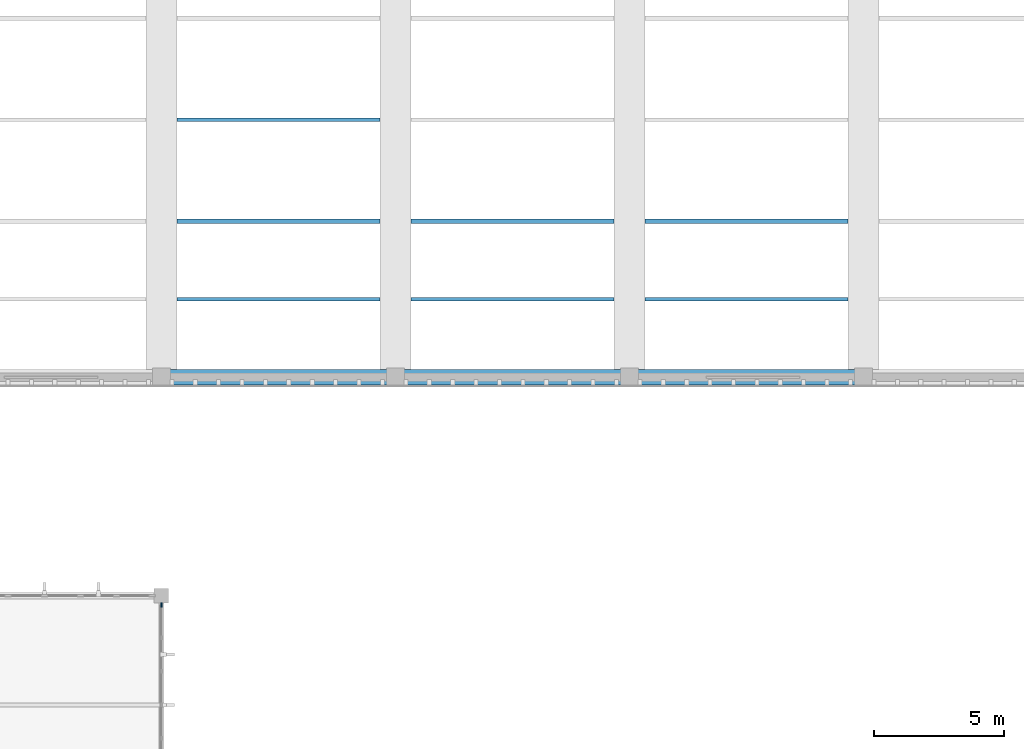
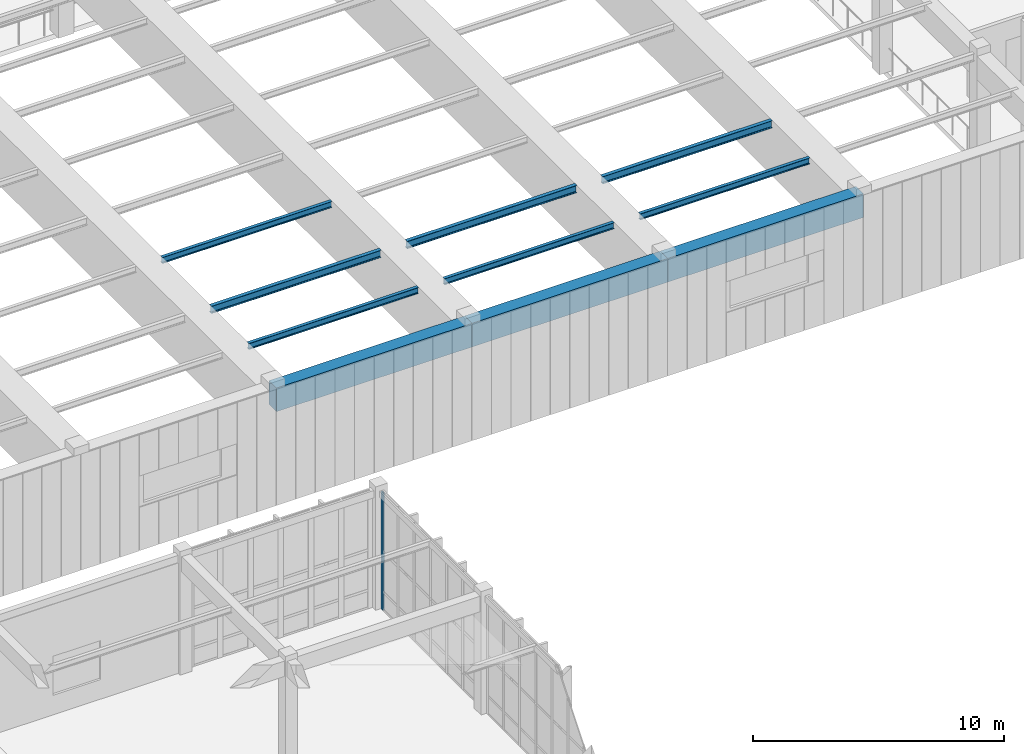
# One storey, part 28 of 105: 10 beams, 1 member, 1 element without a shape of its own.
"""IFC4 building model written with IfcOpenShell, lengths in metres."""

from ifc_helpers import new_model, si_unit, direction, frame, origin, origin_2d, place, context, subcontext, project, spatial, rectangle, i_section, extrude, material, material_profile, profile_set, type_object, element, aggregate, save


model = new_model("IFC4")

# Units and contexts
model_context = context("Model", 3, precision=1e-05, world=origin(), true_north=direction((0.0, 1.0)))
body_context = subcontext(model_context, "Body", "Model", "MODEL_VIEW")
ifc_project = project(units=[si_unit("LENGTHUNIT", "METRE"), si_unit("AREAUNIT", "SQUARE_METRE"), si_unit("VOLUMEUNIT", "CUBIC_METRE"), si_unit("PLANEANGLEUNIT", "RADIAN"), si_unit("MASSUNIT", "GRAM", prefix="KILO")], contexts=[model_context])

# Site, building, storey
site_placement = place(None, origin())
site = spatial("IfcSite", under=ifc_project, at=site_placement, CompositionType="ELEMENT")
building_placement = place(site_placement, origin())
building = spatial("IfcBuilding", under=site, at=building_placement, Name="Tizgana Railside Sports Hall", CompositionType="ELEMENT")
storey_placement = place(building_placement, frame((0.0, 0.0, 6.0)))
storey = spatial("IfcBuildingStorey", under=building, at=storey_placement, Name="L01", CompositionType="ELEMENT", Elevation=6.0)

# Beams
ifc_material_1 = material(Name="Concrete C40/50", Category="concrete")
ifc_material_profile_1 = material_profile(ifc_material_1, rectangle(XDim=0.60009765625, YDim=1.14990234375, at=origin_2d()), Name="RCB 600x1150")
ifc_profile_set_1 = profile_set([ifc_material_profile_1], Name="Concrete C40/50")
beam_type_1 = type_object("IfcBeamType", Name="Concrete Beam RCB 600x1150", PredefinedType="BEAM", material=ifc_profile_set_1)
for number, where, z_axis, x_axis, name in (
    (1, (97.800048828125, 40.800048828125, 5.06103515625), (1.0, 0.0, 0.0), (0.0, 1.0, 0.0), "L01 BEM-0285"),
    (2, (106.800048828125, 40.800048828125, 5.06103515625), (1.0, 0.0, 0.0), (0.0, 1.0, 0.0), "L01 BEM-0297"),
    (3, (115.800048828125, 40.800048828125, 5.06103515625), (1.0, 0.0, 0.0), (0.0, 1.0, 0.0), "L01 BEM-0309"),
):
    element("IfcBeam", number, at=place(storey_placement, frame(where, z_axis=z_axis, x_axis=x_axis)), inside=storey, type_object=beam_type_1, Name=name, PredefinedType="BEAM", context=body_context, shape_type="SweptSolid", body=[
        extrude(rectangle(XDim=0.60009765625, YDim=1.14990234375, at=origin_2d()), origin(), (0.0, 0.0, 1.0), 9.0),
    ])

# Curtain wall, member
ifc_material_2 = material(Name="Anodised aluminium and glass", Category="aluminium")
curtain_wall_type = type_object("IfcCurtainWallType", Name="Unitised Curtain Wall EastHall 1500", PredefinedType="NOTDEFINED", material=ifc_material_2)
curtain_wall_placement = place(storey_placement, origin())
curtain_wall = element("IfcCurtainWall", 4, at=curtain_wall_placement, inside=storey, type_object=curtain_wall_type, Name="L01 Curtain Wall CW-0103", PredefinedType="NOTDEFINED")
ifc_material_3 = material(Name="Anodised aluminium", Category="aluminium")
ifc_material_profile_2 = material_profile(ifc_material_3, rectangle(XDim=0.06005859375, YDim=0.159912109375, at=origin_2d()), Name="Mullion 60x160")
ifc_profile_set_2 = profile_set([ifc_material_profile_2], Name="Anodised aluminium")
member_type = type_object("IfcMemberType", Name="Mullion 60x160", PredefinedType="MULLION", material=ifc_profile_set_2)
member_placement = place(storey_placement, frame((97.800048828125, 32.0400390625, 0.0), z_axis=(0.0, 0.0, 1.0), x_axis=(1.0, 0.0, 0.0)))
member = element("IfcMember", 5, at=member_placement, type_object=member_type, Name="CW-08 mullion 1", PredefinedType="MULLION", context=body_context, shape_type="SweptSolid", body=[
    extrude(rectangle(XDim=0.06005859375, YDim=0.159912109375, at=origin_2d()), origin(), (0.0, 0.0, 1.0), 5.719970703125),
])
aggregate(curtain_wall, [member])

# Beams
ifc_material_4 = material(Name="Steel S355J2", Category="steel")
ifc_material_profile_3 = material_profile(ifc_material_4, i_section(OverallWidth=0.14990234375, OverallDepth=0.300048828125, WebThickness=0.007080078125, FlangeThickness=0.0107421875, FilletRadius=0.014892578125, at=origin_2d()), Name="IPE 300")
ifc_profile_set_3 = profile_set([ifc_material_profile_3], Name="Steel S355J2")
beam_type_2 = type_object("IfcBeamType", Name="Steel Joist IPE 300", PredefinedType="JOIST", material=ifc_profile_set_3)
for number, where, z_axis, x_axis, name in (
    (6, (98.39501953125, 43.800048828125, 5.486083984375), (1.0, 0.0, 0.0), (0.0, 1.0, 0.0), "L01 BEM-0292"),
    (7, (98.39501953125, 50.699951171875, 5.486083984375), (1.0, 0.0, 0.0), (0.0, 1.0, 0.0), "L01 BEM-0293"),
    (8, (107.39501953125, 43.800048828125, 5.486083984375), (1.0, 0.0, 0.0), (0.0, 1.0, 0.0), "L01 BEM-0304"),
    (9, (116.39501953125, 43.800048828125, 5.486083984375), (1.0, 0.0, 0.0), (0.0, 1.0, 0.0), "L01 BEM-0316"),
):
    element("IfcBeam", number, at=place(storey_placement, frame(where, z_axis=z_axis, x_axis=x_axis)), inside=storey, type_object=beam_type_2, Name=name, PredefinedType="JOIST", context=body_context, shape_type="SweptSolid", body=[
        extrude(i_section(OverallWidth=0.14990234375, OverallDepth=0.300048828125, WebThickness=0.007080078125, FlangeThickness=0.0107421875, FilletRadius=0.014892578125, at=origin_2d()), origin(), (0.0, 0.0, 1.0), 7.81005859375),
    ])
ifc_material_profile_4 = material_profile(ifc_material_4, i_section(OverallWidth=0.169921875, OverallDepth=0.360107421875, WebThickness=0.008056640625, FlangeThickness=0.0126953125, FilletRadius=0.01806640625, at=origin_2d()), Name="IPE 360")
ifc_profile_set_4 = profile_set([ifc_material_profile_4], Name="Steel S355J2")
beam_type_3 = type_object("IfcBeamType", Name="Steel Joist IPE 360", PredefinedType="JOIST", material=ifc_profile_set_4)
for number, where, z_axis, x_axis, name in (
    (10, (98.39501953125, 46.800048828125, 5.4560546875), (1.0, 0.0, 0.0), (0.0, 1.0, 0.0), "L01 BEM-0286"),
    (11, (107.39501953125, 46.800048828125, 5.4560546875), (1.0, 0.0, 0.0), (0.0, 1.0, 0.0), "L01 BEM-0298"),
    (12, (116.39501953125, 46.800048828125, 5.4560546875), (1.0, 0.0, 0.0), (0.0, 1.0, 0.0), "L01 BEM-0310"),
):
    element("IfcBeam", number, at=place(storey_placement, frame(where, z_axis=z_axis, x_axis=x_axis)), inside=storey, type_object=beam_type_3, Name=name, PredefinedType="JOIST", context=body_context, shape_type="SweptSolid", body=[
        extrude(i_section(OverallWidth=0.169921875, OverallDepth=0.360107421875, WebThickness=0.008056640625, FlangeThickness=0.0126953125, FilletRadius=0.01806640625, at=origin_2d()), origin(), (0.0, 0.0, 1.0), 7.81005859375),
    ])

save(model, "model.ifc")
